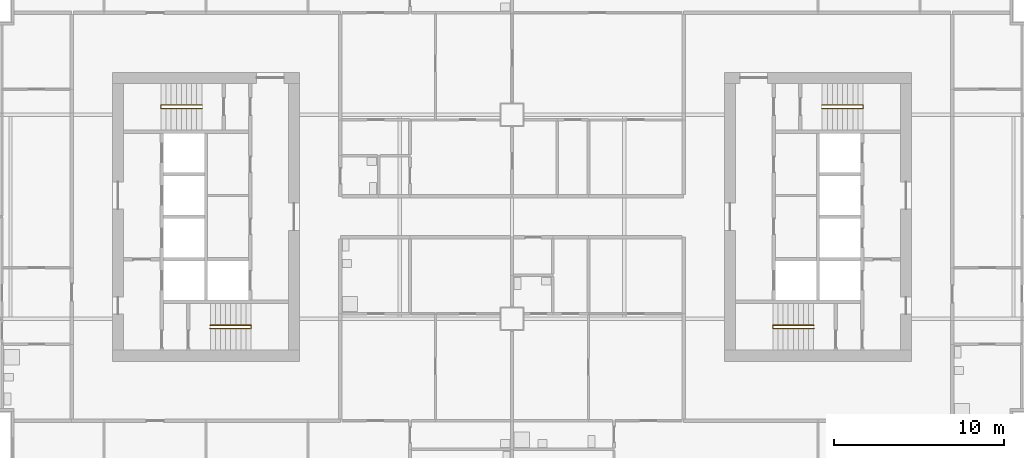
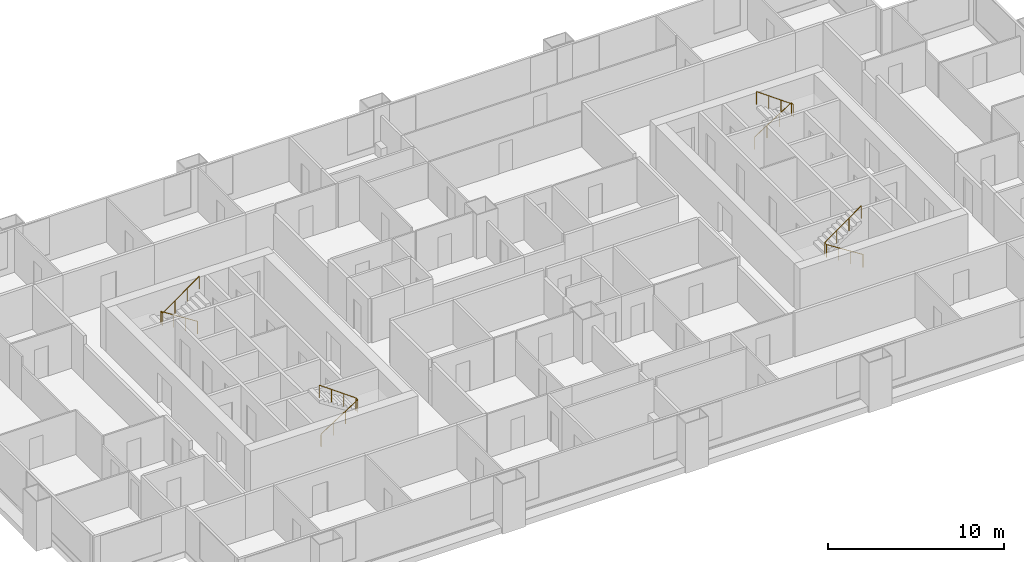
# One storey, part 10 of 11: 4 railings.
"""IFC4 building model written with IfcOpenShell, lengths in metres."""

from ifc_helpers import new_model, si_unit, direction, frame, origin, origin_2d, place, context, subcontext, project, spatial, circle, extrude, material, type_object, element, save


model = new_model("IFC4")

# Units and contexts
model_context = context("Model", 3, precision=1e-05, world=origin(), true_north=direction((0.0, 1.0)))
body_context = subcontext(model_context, "Body", "Model", "MODEL_VIEW")
ifc_project = project(units=[si_unit("LENGTHUNIT", "METRE"), si_unit("AREAUNIT", "SQUARE_METRE"), si_unit("VOLUMEUNIT", "CUBIC_METRE"), si_unit("PLANEANGLEUNIT", "RADIAN"), si_unit("MASSUNIT", "GRAM", prefix="KILO")], contexts=[model_context])

# Site, building, storey
site_placement = place(None, origin())
site = spatial("IfcSite", under=ifc_project, at=site_placement, CompositionType="ELEMENT")
building_placement = place(site_placement, origin())
building = spatial("IfcBuilding", under=site, at=building_placement, Name="Kitamizu Gate Tower and Museum", CompositionType="ELEMENT")
storey_placement = place(building_placement, frame((0.0, 0.0, 100.050048828125)))
storey = spatial("IfcBuildingStorey", under=building, at=storey_placement, Name="L25", CompositionType="ELEMENT", Elevation=100.050048828125)

# Railings
ifc_material = material(Name="Stainless steel SUS304", Category="steel")
railing_type = type_object("IfcRailingType", Name="Stair handrail 900", PredefinedType="HANDRAIL", material=ifc_material)
railing_1_placement = place(storey_placement, frame((18.25, 23.425048828125, 0.191650390625)))
element("IfcRailing", 1, at=railing_1_placement, inside=storey, type_object=railing_type, Name="Stair handrail ST1", PredefinedType="HANDRAIL", context=body_context, shape_type="SweptSolid", body=[
    extrude(circle(Radius=0.02392578125, at=origin_2d()), frame((0.0, 0.0, 0.8759765625), z_axis=(0.84270706373, 0.0, 0.538372366248), x_axis=(0.0, 1.0, 0.0)), (0.0, 0.0, 1.0), 2.847900390625),
    extrude(circle(Radius=0.02392578125, at=origin_2d()), frame((2.39990234375, 0.0, 2.4091796875), z_axis=(0.0, 1.0, 0.0), x_axis=(-1.0, 0.0, 0.0)), (0.0, 0.0, 1.0), 0.199951171875),
    extrude(circle(Radius=0.02392578125, at=origin_2d()), frame((2.39990234375, 0.199951171875, 2.4091796875), z_axis=(-0.811988456656, 0.0, 0.583673492852), x_axis=(0.0, -1.0, 0.0)), (0.0, 0.0, 1.0), 2.95556640625),
    extrude(circle(Radius=0.02099609375, at=origin_2d()), origin(), (0.0, 0.0, 1.0), 0.851806640625),
    extrude(circle(Radius=0.02099609375, at=origin_2d()), frame((0.800048828125, 0.0, 0.510986328125)), (0.0, 0.0, 1.0), 0.851806640625),
    extrude(circle(Radius=0.02099609375, at=origin_2d()), frame((1.599853515625, 0.0, 1.022216796875)), (0.0, 0.0, 1.0), 0.851806640625),
    extrude(circle(Radius=0.02099609375, at=origin_2d()), frame((2.39990234375, 0.0, 1.533203125)), (0.0, 0.0, 1.0), 0.851806640625),
    extrude(circle(Radius=0.02099609375, at=origin_2d()), frame((2.39990234375, 0.199951171875, 1.533203125)), (0.0, 0.0, 1.0), 0.851806640625),
    extrude(circle(Radius=0.02099609375, at=origin_2d()), frame((1.599853515625, 0.199951171875, 2.108154296875)), (0.0, 0.0, 1.0), 0.851806640625),
    extrude(circle(Radius=0.02099609375, at=origin_2d()), frame((0.800048828125, 0.199951171875, 2.683349609375)), (0.0, 0.0, 1.0), 0.851806640625),
    extrude(circle(Radius=0.02099609375, at=origin_2d()), frame((0.0, 0.199951171875, 3.25830078125)), (0.0, 0.0, 1.0), 0.851806640625),
])
railing_2_placement = place(storey_placement, frame((17.75, 36.574951171875, 0.191650390625)))
element("IfcRailing", 2, at=railing_2_placement, inside=storey, type_object=railing_type, Name="Stair handrail ST2", PredefinedType="HANDRAIL", context=body_context, shape_type="SweptSolid", body=[
    extrude(circle(Radius=0.02392578125, at=origin_2d()), frame((0.0, 0.0, 0.8759765625), z_axis=(-0.84270706373, 0.0, 0.538372366248), x_axis=(0.0, -1.0, 0.0)), (0.0, 0.0, 1.0), 2.847900390625),
    extrude(circle(Radius=0.02392578125, at=origin_2d()), frame((-2.39990234375, 0.0, 2.4091796875), z_axis=(0.0, -1.0, 0.0), x_axis=(1.0, 0.0, 0.0)), (0.0, 0.0, 1.0), 0.199951171875),
    extrude(circle(Radius=0.02392578125, at=origin_2d()), frame((-2.39990234375, -0.199951171875, 2.4091796875), z_axis=(0.811988456656, 0.0, 0.583673492852), x_axis=(0.0, 1.0, 0.0)), (0.0, 0.0, 1.0), 2.95556640625),
    extrude(circle(Radius=0.02099609375, at=origin_2d()), origin(), (0.0, 0.0, 1.0), 0.851806640625),
    extrude(circle(Radius=0.02099609375, at=origin_2d()), frame((-0.800048828125, 0.0, 0.510986328125)), (0.0, 0.0, 1.0), 0.851806640625),
    extrude(circle(Radius=0.02099609375, at=origin_2d()), frame((-1.599853515625, 0.0, 1.022216796875)), (0.0, 0.0, 1.0), 0.851806640625),
    extrude(circle(Radius=0.02099609375, at=origin_2d()), frame((-2.39990234375, 0.0, 1.533203125)), (0.0, 0.0, 1.0), 0.851806640625),
    extrude(circle(Radius=0.02099609375, at=origin_2d()), frame((-2.39990234375, -0.199951171875, 1.533203125)), (0.0, 0.0, 1.0), 0.851806640625),
    extrude(circle(Radius=0.02099609375, at=origin_2d()), frame((-1.599853515625, -0.199951171875, 2.108154296875)), (0.0, 0.0, 1.0), 0.851806640625),
    extrude(circle(Radius=0.02099609375, at=origin_2d()), frame((-0.800048828125, -0.199951171875, 2.683349609375)), (0.0, 0.0, 1.0), 0.851806640625),
    extrude(circle(Radius=0.02099609375, at=origin_2d()), frame((0.0, -0.199951171875, 3.25830078125)), (0.0, 0.0, 1.0), 0.851806640625),
])
railing_3_placement = place(storey_placement, frame((53.75, 23.425048828125, 0.191650390625)))
element("IfcRailing", 3, at=railing_3_placement, inside=storey, type_object=railing_type, Name="Stair handrail ST3", PredefinedType="HANDRAIL", context=body_context, shape_type="SweptSolid", body=[
    extrude(circle(Radius=0.02392578125, at=origin_2d()), frame((0.0, 0.0, 0.8759765625), z_axis=(-0.84270706373, 0.0, 0.538372366248), x_axis=(0.0, -1.0, 0.0)), (0.0, 0.0, 1.0), 2.847900390625),
    extrude(circle(Radius=0.02392578125, at=origin_2d()), frame((-2.39990234375, 0.0, 2.4091796875), z_axis=(0.0, 1.0, 0.0), x_axis=(-1.0, 0.0, 0.0)), (0.0, 0.0, 1.0), 0.199951171875),
    extrude(circle(Radius=0.02392578125, at=origin_2d()), frame((-2.39990234375, 0.199951171875, 2.4091796875), z_axis=(0.811988456656, 0.0, 0.583673492852), x_axis=(0.0, 1.0, 0.0)), (0.0, 0.0, 1.0), 2.95556640625),
    extrude(circle(Radius=0.02099609375, at=origin_2d()), origin(), (0.0, 0.0, 1.0), 0.851806640625),
    extrude(circle(Radius=0.02099609375, at=origin_2d()), frame((-0.800048828125, 0.0, 0.510986328125)), (0.0, 0.0, 1.0), 0.851806640625),
    extrude(circle(Radius=0.02099609375, at=origin_2d()), frame((-1.599853515625, 0.0, 1.022216796875)), (0.0, 0.0, 1.0), 0.851806640625),
    extrude(circle(Radius=0.02099609375, at=origin_2d()), frame((-2.39990234375, 0.0, 1.533203125)), (0.0, 0.0, 1.0), 0.851806640625),
    extrude(circle(Radius=0.02099609375, at=origin_2d()), frame((-2.39990234375, 0.199951171875, 1.533203125)), (0.0, 0.0, 1.0), 0.851806640625),
    extrude(circle(Radius=0.02099609375, at=origin_2d()), frame((-1.599853515625, 0.199951171875, 2.108154296875)), (0.0, 0.0, 1.0), 0.851806640625),
    extrude(circle(Radius=0.02099609375, at=origin_2d()), frame((-0.800048828125, 0.199951171875, 2.683349609375)), (0.0, 0.0, 1.0), 0.851806640625),
    extrude(circle(Radius=0.02099609375, at=origin_2d()), frame((0.0, 0.199951171875, 3.25830078125)), (0.0, 0.0, 1.0), 0.851806640625),
])
railing_4_placement = place(storey_placement, frame((54.25, 36.574951171875, 0.191650390625)))
element("IfcRailing", 4, at=railing_4_placement, inside=storey, type_object=railing_type, Name="Stair handrail ST4", PredefinedType="HANDRAIL", context=body_context, shape_type="SweptSolid", body=[
    extrude(circle(Radius=0.02392578125, at=origin_2d()), frame((0.0, 0.0, 0.8759765625), z_axis=(0.84270706373, 0.0, 0.538372366248), x_axis=(0.0, 1.0, 0.0)), (0.0, 0.0, 1.0), 2.847900390625),
    extrude(circle(Radius=0.02392578125, at=origin_2d()), frame((2.39990234375, 0.0, 2.4091796875), z_axis=(0.0, -1.0, 0.0), x_axis=(1.0, 0.0, 0.0)), (0.0, 0.0, 1.0), 0.199951171875),
    extrude(circle(Radius=0.02392578125, at=origin_2d()), frame((2.39990234375, -0.199951171875, 2.4091796875), z_axis=(-0.811988456656, 0.0, 0.583673492852), x_axis=(0.0, -1.0, 0.0)), (0.0, 0.0, 1.0), 2.95556640625),
    extrude(circle(Radius=0.02099609375, at=origin_2d()), origin(), (0.0, 0.0, 1.0), 0.851806640625),
    extrude(circle(Radius=0.02099609375, at=origin_2d()), frame((0.800048828125, 0.0, 0.510986328125)), (0.0, 0.0, 1.0), 0.851806640625),
    extrude(circle(Radius=0.02099609375, at=origin_2d()), frame((1.599853515625, 0.0, 1.022216796875)), (0.0, 0.0, 1.0), 0.851806640625),
    extrude(circle(Radius=0.02099609375, at=origin_2d()), frame((2.39990234375, 0.0, 1.533203125)), (0.0, 0.0, 1.0), 0.851806640625),
    extrude(circle(Radius=0.02099609375, at=origin_2d()), frame((2.39990234375, -0.199951171875, 1.533203125)), (0.0, 0.0, 1.0), 0.851806640625),
    extrude(circle(Radius=0.02099609375, at=origin_2d()), frame((1.599853515625, -0.199951171875, 2.108154296875)), (0.0, 0.0, 1.0), 0.851806640625),
    extrude(circle(Radius=0.02099609375, at=origin_2d()), frame((0.800048828125, -0.199951171875, 2.683349609375)), (0.0, 0.0, 1.0), 0.851806640625),
    extrude(circle(Radius=0.02099609375, at=origin_2d()), frame((0.0, -0.199951171875, 3.25830078125)), (0.0, 0.0, 1.0), 0.851806640625),
])

save(model, "model.ifc")
